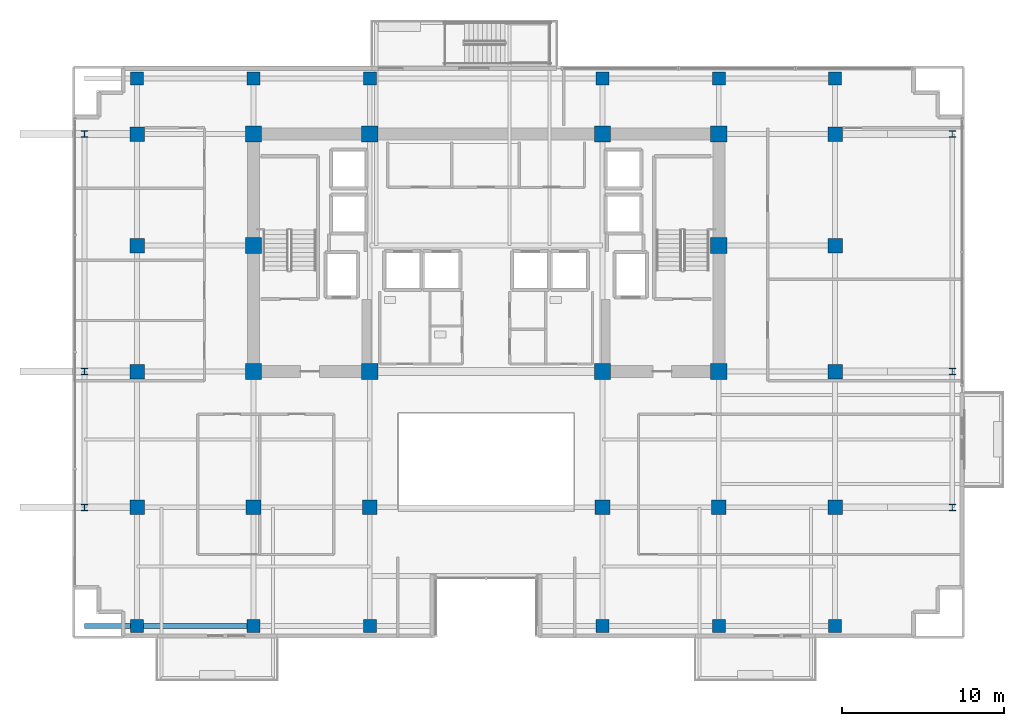
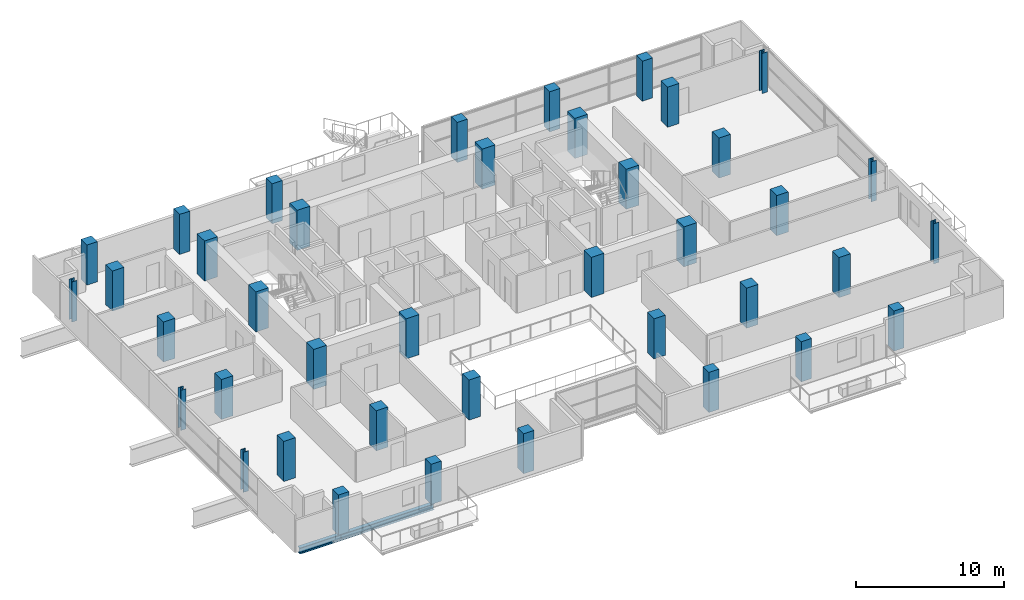
# One storey, part 1 of 27: 40 columns, 2 beams.
"""IFC4 building model written with IfcOpenShell, lengths in metres."""

from ifc_helpers import new_model, si_unit, direction, frame, origin, origin_2d, place, context, subcontext, project, spatial, rectangle, i_section, extrude, material, material_profile, profile_set, type_object, element, save


model = new_model("IFC4")

# Units and contexts
model_context = context("Model", 3, precision=1e-05, world=origin(), true_north=direction((0.0, 1.0)))
body_context = subcontext(model_context, "Body", "Model", "MODEL_VIEW")
ifc_project = project(units=[si_unit("LENGTHUNIT", "METRE"), si_unit("AREAUNIT", "SQUARE_METRE"), si_unit("VOLUMEUNIT", "CUBIC_METRE"), si_unit("PLANEANGLEUNIT", "RADIAN"), si_unit("MASSUNIT", "GRAM", prefix="KILO")], contexts=[model_context])

# Site, building, storey
site_placement = place(None, origin())
site = spatial("IfcSite", under=ifc_project, at=site_placement, CompositionType="ELEMENT")
building_placement = place(site_placement, origin())
building = spatial("IfcBuilding", under=site, at=building_placement, Name="Zarnakvel Exchange Tower", CompositionType="ELEMENT")
storey_placement = place(building_placement, frame((0.0, 0.0, 113.199951171875)))
storey = spatial("IfcBuildingStorey", under=building, at=storey_placement, Name="L31", CompositionType="ELEMENT", Elevation=113.199951171875)

# Columns
ifc_material_1 = material(Name="Concrete C60/75", Category="concrete")
ifc_material_profile_1 = material_profile(ifc_material_1, rectangle(XDim=1.0, YDim=1.0, at=origin_2d()))
ifc_profile_set_1 = profile_set([ifc_material_profile_1], Name="Concrete C60/75")
column_type_1 = type_object("IfcColumnType", Name="CC-02", PredefinedType="COLUMN", material=ifc_profile_set_1)
for number, where, z_axis, x_axis, name in (
    (1, (-14.39990234375, -1.199951171875, 0.0), (0.0, 0.0, 1.0), (1.0, 0.0, 0.0), "L31 Column C-4D (CC-02)"),
    (2, (-7.199951171875, -1.199951171875, 0.0), (0.0, 0.0, 1.0), (1.0, 0.0, 0.0), "L31 Column C-5D (CC-02)"),
    (3, (7.199951171875, -1.199951171875, 0.0), (0.0, 0.0, 1.0), (1.0, 0.0, 0.0), "L31 Column C-8D (CC-02)"),
    (4, (14.39990234375, -1.199951171875, 0.0), (0.0, 0.0, 1.0), (1.0, 0.0, 0.0), "L31 Column C-9D (CC-02)"),
    (5, (-14.39990234375, 6.60009765625, 0.0), (0.0, 0.0, 1.0), (1.0, 0.0, 0.0), "L31 Column C-4E (CC-02)"),
    (6, (14.39990234375, 6.60009765625, 0.0), (0.0, 0.0, 1.0), (1.0, 0.0, 0.0), "L31 Column C-9E (CC-02)"),
    (7, (-14.39990234375, 13.5, 0.0), (0.0, 0.0, 1.0), (1.0, 0.0, 0.0), "L31 Column C-4F (CC-02)"),
    (8, (-7.199951171875, 13.5, 0.0), (0.0, 0.0, 1.0), (1.0, 0.0, 0.0), "L31 Column C-5F (CC-02)"),
    (9, (7.199951171875, 13.5, 0.0), (0.0, 0.0, 1.0), (1.0, 0.0, 0.0), "L31 Column C-8F (CC-02)"),
    (10, (14.39990234375, 13.5, 0.0), (0.0, 0.0, 1.0), (1.0, 0.0, 0.0), "L31 Column C-9F (CC-02)"),
):
    element("IfcColumn", number, at=place(storey_placement, frame(where, z_axis=z_axis, x_axis=x_axis)), inside=storey, type_object=column_type_1, Name=name, PredefinedType="COLUMN", context=body_context, shape_type="SweptSolid", body=[
        extrude(rectangle(XDim=1.0, YDim=1.0, at=origin_2d()), origin(), (0.0, 0.0, 1.0), 3.300048828125),
    ])
ifc_material_2 = material(Name="Steel S355", Category="steel")
ifc_material_profile_2 = material_profile(ifc_material_2, i_section(OverallWidth=0.404052734375, OverallDepth=0.406982421875, WebThickness=0.0224609375, FlangeThickness=0.031982421875, FilletRadius=0.014892578125, at=origin_2d()))
ifc_profile_set_2 = profile_set([ifc_material_profile_2], Name="Steel S355")
column_type_2 = type_object("IfcColumnType", Name="SC-02", PredefinedType="COLUMN", material=ifc_profile_set_2)
for number, where, z_axis, x_axis, name in (
    (11, (-24.85009765625, -9.60009765625, 0.0), (0.0, 0.0, 1.0), (1.0, 0.0, 0.0), "L31 Column TW-C (SC-02)"),
    (12, (28.85009765625, -9.60009765625, 0.0), (0.0, 0.0, 1.0), (1.0, 0.0, 0.0), "L31 Column TE-C (SC-02)"),
    (13, (-24.85009765625, -1.199951171875, 0.0), (0.0, 0.0, 1.0), (1.0, 0.0, 0.0), "L31 Column TW-D (SC-02)"),
    (14, (28.85009765625, -1.199951171875, 0.0), (0.0, 0.0, 1.0), (1.0, 0.0, 0.0), "L31 Column TE-D (SC-02)"),
    (15, (-24.85009765625, 13.5, 0.0), (0.0, 0.0, 1.0), (1.0, 0.0, 0.0), "L31 Column TW-F (SC-02)"),
    (16, (28.85009765625, 13.5, 0.0), (0.0, 0.0, 1.0), (1.0, 0.0, 0.0), "L31 Column TE-F (SC-02)"),
):
    element("IfcColumn", number, at=place(storey_placement, frame(where, z_axis=z_axis, x_axis=x_axis)), inside=storey, type_object=column_type_2, Name=name, PredefinedType="COLUMN", context=body_context, shape_type="SweptSolid", body=[
        extrude(i_section(OverallWidth=0.404052734375, OverallDepth=0.406982421875, WebThickness=0.0224609375, FlangeThickness=0.031982421875, FilletRadius=0.014892578125, at=origin_2d()), origin(), (0.0, 0.0, 1.0), 3.300048828125),
    ])
ifc_material_profile_3 = material_profile(ifc_material_1, rectangle(XDim=0.89990234375, YDim=0.89990234375, at=origin_2d()))
ifc_profile_set_3 = profile_set([ifc_material_profile_3], Name="Concrete C60/75")
column_type_3 = type_object("IfcColumnType", Name="TC-02", PredefinedType="COLUMN", material=ifc_profile_set_3)
for number, where, z_axis, x_axis, name in (
    (17, (-14.39990234375, -9.60009765625, 0.0), (0.0, 0.0, 1.0), (1.0, 0.0, 0.0), "L31 Column T-4C (TC-02)"),
    (18, (-7.199951171875, -9.60009765625, 0.0), (0.0, 0.0, 1.0), (1.0, 0.0, 0.0), "L31 Column T-5C (TC-02)"),
    (19, (7.199951171875, -9.60009765625, 0.0), (0.0, 0.0, 1.0), (1.0, 0.0, 0.0), "L31 Column T-8C (TC-02)"),
    (20, (14.39990234375, -9.60009765625, 0.0), (0.0, 0.0, 1.0), (1.0, 0.0, 0.0), "L31 Column T-9C (TC-02)"),
    (21, (-21.60009765625, -9.60009765625, 0.0), (0.0, 0.0, 1.0), (1.0, 0.0, 0.0), "L31 Column T-3C (TC-02)"),
    (22, (-21.60009765625, -1.199951171875, 0.0), (0.0, 0.0, 1.0), (1.0, 0.0, 0.0), "L31 Column T-3D (TC-02)"),
    (23, (-21.60009765625, 6.60009765625, 0.0), (0.0, 0.0, 1.0), (1.0, 0.0, 0.0), "L31 Column T-3E (TC-02)"),
    (24, (-21.60009765625, 13.5, 0.0), (0.0, 0.0, 1.0), (1.0, 0.0, 0.0), "L31 Column T-3F (TC-02)"),
    (25, (21.60009765625, -9.60009765625, 0.0), (0.0, 0.0, 1.0), (1.0, 0.0, 0.0), "L31 Column T-10C (TC-02)"),
    (26, (21.60009765625, -1.199951171875, 0.0), (0.0, 0.0, 1.0), (1.0, 0.0, 0.0), "L31 Column T-10D (TC-02)"),
    (27, (21.60009765625, 6.60009765625, 0.0), (0.0, 0.0, 1.0), (1.0, 0.0, 0.0), "L31 Column T-10E (TC-02)"),
    (28, (21.60009765625, 13.5, 0.0), (0.0, 0.0, 1.0), (1.0, 0.0, 0.0), "L31 Column T-10F (TC-02)"),
):
    element("IfcColumn", number, at=place(storey_placement, frame(where, z_axis=z_axis, x_axis=x_axis)), inside=storey, type_object=column_type_3, Name=name, PredefinedType="COLUMN", context=body_context, shape_type="SweptSolid", body=[
        extrude(rectangle(XDim=0.89990234375, YDim=0.89990234375, at=origin_2d()), origin(), (0.0, 0.0, 1.0), 3.300048828125),
    ])
ifc_material_profile_4 = material_profile(ifc_material_1, rectangle(XDim=0.800048828125, YDim=0.800048828125, at=origin_2d()))
ifc_profile_set_4 = profile_set([ifc_material_profile_4], Name="Concrete C60/75")
column_type_4 = type_object("IfcColumnType", Name="TC-03", PredefinedType="COLUMN", material=ifc_profile_set_4)
for number, where, z_axis, x_axis, name in (
    (29, (-14.39990234375, -16.949951171875, 0.0), (0.0, 0.0, 1.0), (1.0, 0.0, 0.0), "L31 Column TS-4 (TC-03)"),
    (30, (-14.39990234375, 16.949951171875, 0.0), (0.0, 0.0, 1.0), (1.0, 0.0, 0.0), "L31 Column TN-4 (TC-03)"),
    (31, (-7.199951171875, -16.949951171875, 0.0), (0.0, 0.0, 1.0), (1.0, 0.0, 0.0), "L31 Column TS-5 (TC-03)"),
    (32, (-7.199951171875, 16.949951171875, 0.0), (0.0, 0.0, 1.0), (1.0, 0.0, 0.0), "L31 Column TN-5 (TC-03)"),
    (33, (7.199951171875, -16.949951171875, 0.0), (0.0, 0.0, 1.0), (1.0, 0.0, 0.0), "L31 Column TS-8 (TC-03)"),
    (34, (7.199951171875, 16.949951171875, 0.0), (0.0, 0.0, 1.0), (1.0, 0.0, 0.0), "L31 Column TN-8 (TC-03)"),
    (35, (14.39990234375, -16.949951171875, 0.0), (0.0, 0.0, 1.0), (1.0, 0.0, 0.0), "L31 Column TS-9 (TC-03)"),
    (36, (14.39990234375, 16.949951171875, 0.0), (0.0, 0.0, 1.0), (1.0, 0.0, 0.0), "L31 Column TN-9 (TC-03)"),
    (37, (-21.60009765625, -16.949951171875, 0.0), (0.0, 0.0, 1.0), (1.0, 0.0, 0.0), "L31 Column TS-3 (TC-03)"),
    (38, (-21.60009765625, 16.949951171875, 0.0), (0.0, 0.0, 1.0), (1.0, 0.0, 0.0), "L31 Column TN-3 (TC-03)"),
    (39, (21.60009765625, -16.949951171875, 0.0), (0.0, 0.0, 1.0), (1.0, 0.0, 0.0), "L31 Column TS-10 (TC-03)"),
    (40, (21.60009765625, 16.949951171875, 0.0), (0.0, 0.0, 1.0), (1.0, 0.0, 0.0), "L31 Column TN-10 (TC-03)"),
):
    element("IfcColumn", number, at=place(storey_placement, frame(where, z_axis=z_axis, x_axis=x_axis)), inside=storey, type_object=column_type_4, Name=name, PredefinedType="COLUMN", context=body_context, shape_type="SweptSolid", body=[
        extrude(rectangle(XDim=0.800048828125, YDim=0.800048828125, at=origin_2d()), origin(), (0.0, 0.0, 1.0), 3.300048828125),
    ])

# Beams
ifc_material_profile_5 = material_profile(ifc_material_2, i_section(OverallWidth=0.300048828125, OverallDepth=0.5, WebThickness=0.014404296875, FlangeThickness=0.028076171875, FilletRadius=0.027099609375, at=origin_2d()))
ifc_profile_set_5 = profile_set([ifc_material_profile_5], Name="Steel S355")
beam_type = type_object("IfcBeamType", Name="SP-02", PredefinedType="SPANDREL", material=ifc_profile_set_5)
beam_1_placement = place(storey_placement, frame((-21.60009765625, -16.949951171875, -0.474853515625), z_axis=(1.0, 0.0, 0.0), x_axis=(0.0, 1.0, 0.0)))
element("IfcBeam", 41, at=beam_1_placement, inside=storey, type_object=beam_type, Name="L31 Tower E-W Frame Beam", PredefinedType="SPANDREL", context=body_context, shape_type="SweptSolid", body=[
    extrude(i_section(OverallWidth=0.300048828125, OverallDepth=0.5, WebThickness=0.014404296875, FlangeThickness=0.028076171875, FilletRadius=0.027099609375, at=origin_2d()), origin(), (0.0, 0.0, 1.0), 7.2001953125),
])
beam_2_placement = place(storey_placement, frame((-24.85009765625, -16.949951171875, -0.474853515625), z_axis=(1.0, 0.0, 0.0), x_axis=(0.0, 1.0, 0.0)))
element("IfcBeam", 42, at=beam_2_placement, inside=storey, type_object=beam_type, Name="L31 South-West Corner Spandrel", PredefinedType="SPANDREL", context=body_context, shape_type="SweptSolid", body=[
    extrude(i_section(OverallWidth=0.300048828125, OverallDepth=0.5, WebThickness=0.014404296875, FlangeThickness=0.028076171875, FilletRadius=0.027099609375, at=origin_2d()), origin(), (0.0, 0.0, 1.0), 3.25),
])

save(model, "model.ifc")
